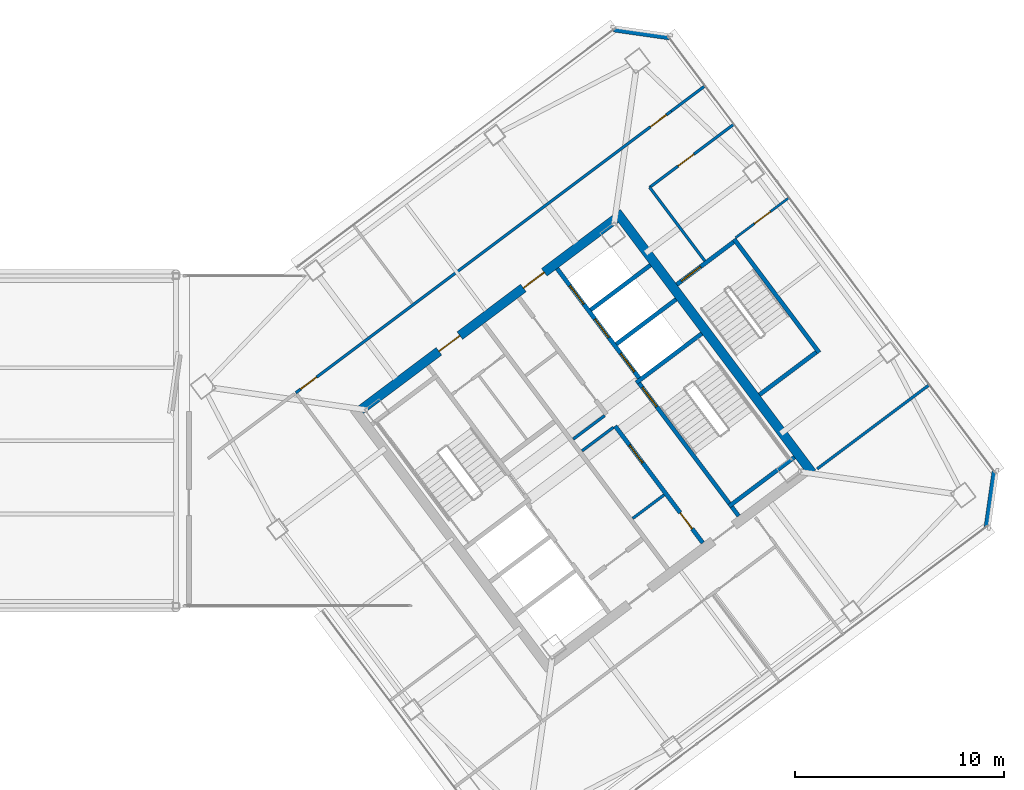
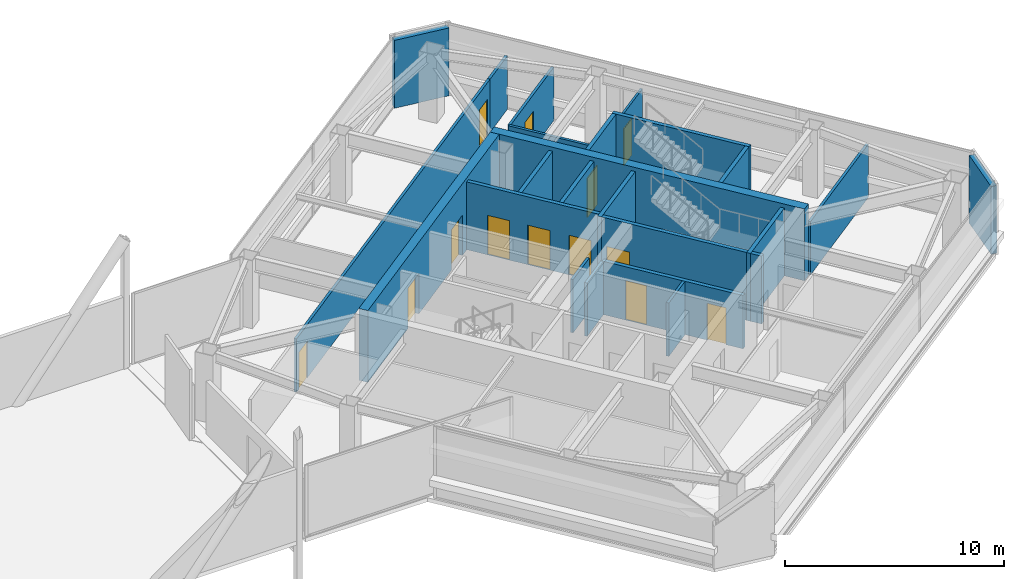
# One storey, part 45 of 53: 23 walls, 13 doors, 13 openings.
"""IFC4 building model written with IfcOpenShell, lengths in metres."""

from ifc_helpers import new_model, si_unit, direction, frame, frame_2d, origin, place, context, subcontext, project, spatial, rectangle, extrude, material, layer, layer_set, type_object, element, fill, save


model = new_model("IFC4")

# Units and contexts
model_context = context("Model", 3, precision=1e-05, world=origin(), true_north=direction((0.0, 1.0)))
body_context = subcontext(model_context, "Body", "Model", "MODEL_VIEW")
ifc_project = project(units=[si_unit("LENGTHUNIT", "METRE"), si_unit("AREAUNIT", "SQUARE_METRE"), si_unit("VOLUMEUNIT", "CUBIC_METRE"), si_unit("PLANEANGLEUNIT", "RADIAN"), si_unit("MASSUNIT", "GRAM", prefix="KILO")], contexts=[model_context])

# Site, building, storey
site_placement = place(None, origin())
site = spatial("IfcSite", under=ifc_project, at=site_placement, CompositionType="ELEMENT")
building_placement = place(site_placement, origin())
building = spatial("IfcBuilding", under=site, at=building_placement, Name="Tashvorn Skyway Center", CompositionType="ELEMENT")
storey_placement = place(building_placement, frame((0.0, 0.0, 255.39990234375)))
storey = spatial("IfcBuildingStorey", under=building, at=storey_placement, Name="L69", CompositionType="ELEMENT", Elevation=255.39990234375)

# Wall
ifc_material_1 = material(Name="Concrete C50/60", Category="concrete")
ifc_layer_1 = layer(ifc_material_1, 0.449951171875)
ifc_layer_set_1 = layer_set([ifc_layer_1], Name="Concrete C50/60")
wall_type_1 = type_object("IfcWallType", Name="WALL-CORE-450", PredefinedType="SHEAR", material=ifc_layer_set_1)
wall_1_placement = place(storey_placement, frame((115.60400390625, 42.952880859375, 0.0), z_axis=(0.0, 0.0, 1.0), x_axis=(0.600005007985, -0.799996243986, 0.0)))
element("IfcWall", 1, at=wall_1_placement, inside=storey, type_object=wall_type_1, Name="Tower 2 L69 East Core Shear Wall", PredefinedType="SHEAR", context=body_context, shape_type="SweptSolid", body=[
    extrude(rectangle(XDim=15.60009765625, YDim=0.449951171875, at=frame_2d((7.800048828125, 0.0))), origin(), (0.0, 0.0, 1.0), 4.0),
])

# Wall, openings, doors
wall_2_placement = place(storey_placement, frame((103.35107421875, 33.48193359375, 0.0), z_axis=(0.0, 0.0, 1.0), x_axis=(0.8, 0.6, 0.0)))
wall_2 = element("IfcWall", 2, at=wall_2_placement, inside=storey, type_object=wall_type_1, Name="Tower 2 L69 North Core Shear Wall", PredefinedType="SHEAR", context=body_context, shape_type="SweptSolid", body=[
    extrude(rectangle(XDim=15.260009765625, YDim=0.449951171875, at=frame_2d((7.6298828125, 0.0))), origin(), (0.0, 0.0, 1.0), 4.0),
])
opening_1_placement = place(wall_2_placement, frame((4.679931640625, 0.0, 0.0)))
opening_1 = element("IfcOpeningElement", 3, at=opening_1_placement, cuts=wall_2, Name="Opening D-FFL-1250", PredefinedType="OPENING", context=body_context, shape_type="SweptSolid", body=[
    extrude(rectangle(XDim=1.25, YDim=2.25, at=frame_2d((0.625, 1.125))), frame((0.0, 0.23486328125, 0.0), z_axis=(0.0, -1.0, 0.0), x_axis=(1.0, 0.0, 0.0)), (0.0, 0.0, 1.0), 0.469970703125),
])
opening_2_placement = place(wall_2_placement, frame((9.72998046875, 0.0, 0.0)))
opening_2 = element("IfcOpeningElement", 4, at=opening_2_placement, cuts=wall_2, Name="Opening D-FFL-1250", PredefinedType="OPENING", context=body_context, shape_type="SweptSolid", body=[
    extrude(rectangle(XDim=1.25, YDim=2.25, at=frame_2d((0.625, 1.125))), frame((0.0, 0.23486328125, 0.0), z_axis=(0.0, -1.0, 0.0), x_axis=(1.0, 0.0, 0.0)), (0.0, 0.0, 1.0), 0.469970703125),
])
ifc_material_2 = material(Name="Hollow galvanized steel fire door assembly", Category="steel")
door_type_1 = type_object("IfcDoorType", Name="DOOR-FFL-1250", OperationType="NOTDEFINED", PredefinedType="DOOR", material=ifc_material_2)
door_1_placement = place(opening_1_placement, origin())
door_1 = element("IfcDoor", 5, at=door_1_placement, inside=storey, type_object=door_type_1, Name="Tower 2 L69 Core North Service Lobby Door", OperationType="SINGLE_SWING_LEFT", OverallHeight=2.25, OverallWidth=1.25, PredefinedType="DOOR", context=body_context, shape_type="SweptSolid", body=[
    extrude(rectangle(XDim=1.25, YDim=2.25, at=frame_2d((0.625, 1.125))), frame((0.0, 0.02490234375, 0.0), z_axis=(0.0, -1.0, 0.0), x_axis=(1.0, 0.0, 0.0)), (0.0, 0.0, 1.0), 0.050048828125),
])
fill(opening_1, door_1)
door_2_placement = place(opening_2_placement, origin())
door_2 = element("IfcDoor", 6, at=door_2_placement, inside=storey, type_object=door_type_1, Name="Tower 2 L69 Core North Lift Lobby Door", OperationType="SINGLE_SWING_RIGHT", OverallHeight=2.25, OverallWidth=1.25, PredefinedType="DOOR", context=body_context, shape_type="SweptSolid", body=[
    extrude(rectangle(XDim=1.25, YDim=2.25, at=frame_2d((0.625, 1.125))), frame((0.0, 0.02490234375, 0.0), z_axis=(0.0, -1.0, 0.0), x_axis=(1.0, 0.0, 0.0)), (0.0, 0.0, 1.0), 0.050048828125),
])
fill(opening_2, door_2)

# Walls
ifc_material_3 = material(Name="Precast concrete C40/50", Category="concrete")
ifc_layer_2 = layer(ifc_material_3, 0.280029296875)
ifc_layer_set_2 = layer_set([ifc_layer_2], Name="Precast concrete C40/50")
wall_type_2 = type_object("IfcWallType", Name="WALL-EXT-280", PredefinedType="SOLIDWALL", material=ifc_layer_set_2)
for number, where, z_axis, x_axis, name in (
    (7, (115.4599609375, 51.719970703125, 0.0), (0.0, 0.0, 1.0), (0.989956760759, -0.141370477216, 0.0), "Tower 2 L69 NE Precast Chamfer Wall"),
    (8, (133.719970703125, 30.5400390625, 0.0), (0.0, 0.0, 1.0), (-0.141370477216, -0.989956760759, 0.0), "Tower 2 L69 SE Precast Chamfer Wall"),
):
    element("IfcWall", number, at=place(storey_placement, frame(where, z_axis=z_axis, x_axis=x_axis)), inside=storey, type_object=wall_type_2, Name=name, PredefinedType="SOLIDWALL", context=body_context, shape_type="SweptSolid", body=[
        extrude(rectangle(XDim=2.687255859375, YDim=0.280029296875, at=frame_2d((1.34375, 0.0))), origin(), (0.0, 0.0, 1.0), 3.780029296875),
    ])

# Wall, opening, door
ifc_material_4 = material(Name="Gypsum board on cold-formed steel stud framing", Category="steel")
ifc_layer_3 = layer(ifc_material_4, 0.110107421875)
ifc_layer_set_3 = layer_set([ifc_layer_3], Name="Gypsum board on cold-formed steel stud framing")
wall_type_3 = type_object("IfcWallType", Name="WALL-PART-110", PredefinedType="PARTITIONING", material=ifc_layer_set_3)
wall_3_placement = place(storey_placement, frame((123.864013671875, 43.64794921875, 0.0), z_axis=(0.0, 0.0, 1.0), x_axis=(-0.800018310174, -0.599975585658, 0.0)))
wall_3 = element("IfcWall", 9, at=wall_3_placement, inside=storey, type_object=wall_type_3, Name="Tower 2 L69 East Suite Partition 1", PredefinedType="PARTITIONING", context=body_context, shape_type="SweptSolid", body=[
    extrude(rectangle(XDim=3.199951171875, YDim=0.110107421875, at=frame_2d((1.60009765625, 0.0))), origin(), (0.0, 0.0, 1.0), 2.97119140625),
])
opening_3_placement = place(wall_3_placement, frame((1.125, 0.0, 0.0)))
opening_3 = element("IfcOpeningElement", 10, at=opening_3_placement, cuts=wall_3, Name="Opening D-INT-950", PredefinedType="OPENING", context=body_context, shape_type="SweptSolid", body=[
    extrude(rectangle(XDim=0.949951171875, YDim=2.050048828125, at=frame_2d((0.47509765625, 1.02490234375))), frame((0.0, 0.06494140625, 0.0), z_axis=(0.0, -1.0, 0.0), x_axis=(1.0, 0.0, 0.0)), (0.0, 0.0, 1.0), 0.130126953125),
])
ifc_material_5 = material(Name="Solid-core architectural oak veneer door")
door_type_2 = type_object("IfcDoorType", Name="DOOR-INT-950", OperationType="NOTDEFINED", PredefinedType="DOOR", material=ifc_material_5)
door_3_placement = place(opening_3_placement, origin())
door_3 = element("IfcDoor", 11, at=door_3_placement, inside=storey, type_object=door_type_2, Name="Tower 2 L69 Staff Fitness Club Door", OperationType="SINGLE_SWING_LEFT", OverallHeight=2.050048828125, OverallWidth=0.949951171875, PredefinedType="DOOR", context=body_context, shape_type="SweptSolid", body=[
    extrude(rectangle(XDim=0.949951171875, YDim=2.050048828125, at=frame_2d((0.47509765625, 1.02490234375))), frame((0.0, 0.02490234375, 0.0), z_axis=(0.0, -1.0, 0.0), x_axis=(1.0, 0.0, 0.0)), (0.0, 0.0, 1.0), 0.050048828125),
])
fill(opening_3, door_3)

# Wall
ifc_layer_4 = layer(ifc_material_4, 0.135009765625)
ifc_layer_set_4 = layer_set([ifc_layer_4], Name="Gypsum board on cold-formed steel stud framing")
wall_type_4 = type_object("IfcWallType", Name="WALL-PART-135", PredefinedType="PARTITIONING", material=ifc_layer_set_4)
wall_4_placement = place(storey_placement, frame((119.823974609375, 40.617919921875, 0.0), z_axis=(0.0, 0.0, 1.0), x_axis=(-0.599982243973, 0.800013316712, 0.0)))
element("IfcWall", 12, at=wall_4_placement, inside=storey, type_object=wall_type_4, Name="Tower 2 L69 Stair 3 Access Corridor Wall", PredefinedType="PARTITIONING", context=body_context, shape_type="SweptSolid", body=[
    extrude(rectangle(XDim=4.39990234375, YDim=0.135009765625, at=frame_2d((2.199951171875, 0.0))), origin(), (0.0, 0.0, 1.0), 2.97119140625),
])

# Wall, openings, doors
wall_5_placement = place(storey_placement, frame((100.236083984375, 34.302001953125, 0.0), z_axis=(0.0, 0.0, 1.0), x_axis=(0.799997393501, 0.600003475316, 0.0)))
wall_5 = element("IfcWall", 13, at=wall_5_placement, inside=storey, type_object=wall_type_4, Name="Tower 2 L69 North Suite Wall", PredefinedType="PARTITIONING", context=body_context, shape_type="SweptSolid", body=[
    extrude(rectangle(XDim=22.47998046875, YDim=0.135009765625, at=frame_2d((11.239990234375, 0.0))), origin(), (0.0, 0.0, 1.0), 2.97119140625),
])
opening_4_placement = place(wall_5_placement, frame((0.300048828125, 0.0, 0.0)))
opening_4 = element("IfcOpeningElement", 14, at=opening_4_placement, cuts=wall_5, Name="Opening D-INT-950", PredefinedType="OPENING", context=body_context, shape_type="SweptSolid", body=[
    extrude(rectangle(XDim=0.949951171875, YDim=2.050048828125, at=frame_2d((0.47509765625, 1.02490234375))), frame((0.0, 0.077392578125, 0.0), z_axis=(0.0, -1.0, 0.0), x_axis=(1.0, 0.0, 0.0)), (0.0, 0.0, 1.0), 0.155029296875),
])
opening_5_placement = place(wall_5_placement, frame((21.22998046875, 0.0, 0.0)))
opening_5 = element("IfcOpeningElement", 15, at=opening_5_placement, cuts=wall_5, Name="Opening D-INT-950", PredefinedType="OPENING", context=body_context, shape_type="SweptSolid", body=[
    extrude(rectangle(XDim=0.949951171875, YDim=2.050048828125, at=frame_2d((0.47509765625, 1.02490234375))), frame((0.0, 0.077392578125, 0.0), z_axis=(0.0, -1.0, 0.0), x_axis=(1.0, 0.0, 0.0)), (0.0, 0.0, 1.0), 0.155029296875),
])
door_4_placement = place(opening_4_placement, origin())
door_4 = element("IfcDoor", 16, at=door_4_placement, inside=storey, type_object=door_type_2, Name="Tower 2 L69 Open Plan Office Door", OperationType="SINGLE_SWING_LEFT", OverallHeight=2.050048828125, OverallWidth=0.949951171875, PredefinedType="DOOR", context=body_context, shape_type="SweptSolid", body=[
    extrude(rectangle(XDim=0.949951171875, YDim=2.050048828125, at=frame_2d((0.47509765625, 1.02490234375))), frame((0.0, 0.02490234375, 0.0), z_axis=(0.0, -1.0, 0.0), x_axis=(1.0, 0.0, 0.0)), (0.0, 0.0, 1.0), 0.050048828125),
])
fill(opening_4, door_4)
door_5_placement = place(opening_5_placement, origin())
door_5 = element("IfcDoor", 17, at=door_5_placement, inside=storey, type_object=door_type_2, Name="Tower 2 L69 Open Plan Office Door", OperationType="SINGLE_SWING_RIGHT", OverallHeight=2.050048828125, OverallWidth=0.949951171875, PredefinedType="DOOR", context=body_context, shape_type="SweptSolid", body=[
    extrude(rectangle(XDim=0.949951171875, YDim=2.050048828125, at=frame_2d((0.47509765625, 1.02490234375))), frame((0.0, 0.02490234375, 0.0), z_axis=(0.0, -1.0, 0.0), x_axis=(1.0, 0.0, 0.0)), (0.0, 0.0, 1.0), 0.050048828125),
])
fill(opening_5, door_5)

# Wall
wall_6_placement = place(storey_placement, frame((118.219970703125, 47.7900390625, 0.0), z_axis=(0.0, 0.0, 1.0), x_axis=(0.8, 0.6, 0.0)))
element("IfcWall", 18, at=wall_6_placement, inside=storey, type_object=wall_type_4, Name="Tower 2 L69 North-East Suite South Wall", PredefinedType="PARTITIONING", context=body_context, shape_type="SweptSolid", body=[
    extrude(rectangle(XDim=2.030029296875, YDim=0.135009765625, at=frame_2d((1.01513671875, 0.0))), origin(), (0.0, 0.0, 1.0), 2.97119140625),
])

# Wall, opening, door
wall_7_placement = place(storey_placement, frame((121.22412109375, 47.16796875, 0.0), z_axis=(0.0, 0.0, 1.0), x_axis=(-0.8, -0.6, 0.0)))
wall_7 = element("IfcWall", 19, at=wall_7_placement, inside=storey, type_object=wall_type_4, Name="Tower 2 L69 East Suite North Wall", PredefinedType="PARTITIONING", context=body_context, shape_type="SweptSolid", body=[
    extrude(rectangle(XDim=5.050048828125, YDim=0.135009765625, at=frame_2d((2.52490234375, 0.0))), origin(), (0.0, 0.0, 1.0), 2.97119140625),
])
opening_6_placement = place(wall_7_placement, frame((2.39990234375, 0.0, 0.0)))
opening_6 = element("IfcOpeningElement", 20, at=opening_6_placement, cuts=wall_7, Name="Opening D-INT-950", PredefinedType="OPENING", context=body_context, shape_type="SweptSolid", body=[
    extrude(rectangle(XDim=0.949951171875, YDim=2.050048828125, at=frame_2d((0.47509765625, 1.02490234375))), frame((0.0, 0.077392578125, 0.0), z_axis=(0.0, -1.0, 0.0), x_axis=(1.0, 0.0, 0.0)), (0.0, 0.0, 1.0), 0.155029296875),
])
door_6_placement = place(opening_6_placement, origin())
door_6 = element("IfcDoor", 21, at=door_6_placement, inside=storey, type_object=door_type_2, Name="Tower 2 L69 Executive Study Lounge Door", OperationType="SINGLE_SWING_RIGHT", OverallHeight=2.050048828125, OverallWidth=0.949951171875, PredefinedType="DOOR", context=body_context, shape_type="SweptSolid", body=[
    extrude(rectangle(XDim=0.949951171875, YDim=2.050048828125, at=frame_2d((0.47509765625, 1.02490234375))), frame((0.0, 0.02490234375, 0.0), z_axis=(0.0, -1.0, 0.0), x_axis=(1.0, 0.0, 0.0)), (0.0, 0.0, 1.0), 0.050048828125),
])
fill(opening_6, door_6)

# Walls
wall_8_placement = place(storey_placement, frame((125.2080078125, 30.656005859375, 0.0), z_axis=(0.0, 0.0, 1.0), x_axis=(0.8, 0.6, 0.0)))
element("IfcWall", 22, at=wall_8_placement, inside=storey, type_object=wall_type_4, Name="Tower 2 L69 East Suite South Wall", PredefinedType="PARTITIONING", context=body_context, shape_type="SweptSolid", body=[
    extrude(rectangle(XDim=6.719970703125, YDim=0.135009765625, at=frame_2d((3.35986328125, 0.0))), origin(), (0.0, 0.0, 1.0), 2.97119140625),
])
ifc_layer_5 = layer(ifc_material_4, 0.135009765625)
ifc_layer_set_5 = layer_set([ifc_layer_5], Name="Gypsum board on cold-formed steel stud framing")
wall_type_5 = type_object("IfcWallType", Name="WALL-RATED-135", PredefinedType="PARTITIONING", material=ifc_layer_set_5)
for number, where, z_axis, x_axis, name in (
    (23, (113.946044921875, 31.52197265625, 0.0), (0.0, 0.0, 1.0), (0.8, 0.6, 0.0), "Tower 2 L69 Core Room Partition"),
    (24, (116.3759765625, 28.281982421875, 0.0), (0.0, 0.0, 1.0), (0.8, 0.6, 0.0), "Tower 2 L69 Freed Core Partition"),
):
    element("IfcWall", number, at=place(storey_placement, frame(where, z_axis=z_axis, x_axis=x_axis)), inside=storey, type_object=wall_type_5, Name=name, PredefinedType="PARTITIONING", context=body_context, shape_type="SweptSolid", body=[
        extrude(rectangle(XDim=1.8798828125, YDim=0.135009765625, at=frame_2d((0.93994140625, 0.0))), origin(), (0.0, 0.0, 1.0), 2.97119140625),
    ])
wall_9_placement = place(storey_placement, frame((113.52587890625, 32.08203125, 0.0), z_axis=(0.0, 0.0, 1.0), x_axis=(0.800046745961, 0.599937666993, 0.0)))
element("IfcWall", 25, at=wall_9_placement, inside=storey, type_object=wall_type_5, Name="Tower 2 L69 Core Room Partition", PredefinedType="PARTITIONING", context=body_context, shape_type="SweptSolid", body=[
    extrude(rectangle(XDim=1.880126953125, YDim=0.135009765625, at=frame_2d((0.93994140625, 0.0))), origin(), (0.0, 0.0, 1.0), 2.97119140625),
])
ifc_material_6 = material(Name="Concrete C40/50", Category="concrete")
ifc_layer_6 = layer(ifc_material_6, 0.199951171875)
ifc_layer_set_6 = layer_set([ifc_layer_6], Name="Concrete C40/50")
wall_type_6 = type_object("IfcWallType", Name="WALL-SHAFT-200", PredefinedType="SOLIDWALL", material=ifc_layer_set_6)
for number, where, z_axis, x_axis, name in (
    (26, (115.590087890625, 36.6298828125, 0.0), (0.0, 0.0, 1.0), (0.799975449747, 0.600032732276, 0.0), "Tower 2 L69 High-Rise Shaft Divider"),
    (27, (114.360107421875, 38.27001953125, 0.0), (0.0, 0.0, 1.0), (0.800008183455, 0.599989088572, 0.0), "Tower 2 L69 High-Rise Shaft Divider"),
):
    element("IfcWall", number, at=place(storey_placement, frame(where, z_axis=z_axis, x_axis=x_axis)), inside=storey, type_object=wall_type_6, Name=name, PredefinedType="SOLIDWALL", context=body_context, shape_type="SweptSolid", body=[
        extrude(rectangle(XDim=3.580078125, YDim=0.199951171875, at=frame_2d((1.7900390625, 0.0))), origin(), (0.0, 0.0, 1.0), 3.780029296875),
    ])

# Wall, openings, doors
wall_10_placement = place(storey_placement, frame((119.72998046875, 27.110107421875, 0.0), z_axis=(0.0, 0.0, 1.0), x_axis=(-0.600005580459, 0.799995814625, 0.0)))
wall_10 = element("IfcWall", 28, at=wall_10_placement, inside=storey, type_object=wall_type_6, Name="Tower 2 L69 Low-Rise Core Wall", PredefinedType="SOLIDWALL", context=body_context, shape_type="SweptSolid", body=[
    extrude(rectangle(XDim=6.999755859375, YDim=0.199951171875, at=frame_2d((3.5, 0.0))), origin(), (0.0, 0.0, 1.0), 2.97119140625),
])
opening_7_placement = place(wall_10_placement, frame((0.85009765625, 0.0, 0.0)))
opening_7 = element("IfcOpeningElement", 29, at=opening_7_placement, cuts=wall_10, Name="Opening D-RT-950", PredefinedType="OPENING", context=body_context, shape_type="SweptSolid", body=[
    extrude(rectangle(XDim=0.949951171875, YDim=2.050048828125, at=frame_2d((0.47509765625, 1.02490234375))), frame((0.0, 0.10986328125, 0.0), z_axis=(0.0, -1.0, 0.0), x_axis=(1.0, 0.0, 0.0)), (0.0, 0.0, 1.0), 0.219970703125),
])
opening_8_placement = place(wall_10_placement, frame((4.800048828125, 0.0, 0.0)))
opening_8 = element("IfcOpeningElement", 30, at=opening_8_placement, cuts=wall_10, Name="Opening D-RT-1050", PredefinedType="OPENING", context=body_context, shape_type="SweptSolid", body=[
    extrude(rectangle(XDim=1.050048828125, YDim=2.199951171875, at=frame_2d((0.52490234375, 1.10009765625))), frame((0.0, 0.10986328125, 0.0), z_axis=(0.0, -1.0, 0.0), x_axis=(1.0, 0.0, 0.0)), (0.0, 0.0, 1.0), 0.219970703125),
])
door_type_3 = type_object("IfcDoorType", Name="DOOR-RATED-1050", OperationType="NOTDEFINED", PredefinedType="DOOR", material=ifc_material_2)
door_7_placement = place(opening_8_placement, origin())
door_7 = element("IfcDoor", 31, at=door_7_placement, inside=storey, type_object=door_type_3, Name="Tower 2 L69 Freed Core Room Door", OperationType="SINGLE_SWING_RIGHT", OverallHeight=2.199951171875, OverallWidth=1.050048828125, PredefinedType="DOOR", context=body_context, shape_type="SweptSolid", body=[
    extrude(rectangle(XDim=1.050048828125, YDim=2.199951171875, at=frame_2d((0.52490234375, 1.10009765625))), frame((0.0, 0.02490234375, 0.0), z_axis=(0.0, -1.0, 0.0), x_axis=(1.0, 0.0, 0.0)), (0.0, 0.0, 1.0), 0.050048828125),
])
fill(opening_8, door_7)
door_type_4 = type_object("IfcDoorType", Name="DOOR-RATED-950", OperationType="NOTDEFINED", PredefinedType="DOOR", material=ifc_material_2)
door_8_placement = place(opening_7_placement, origin())
door_8 = element("IfcDoor", 32, at=door_8_placement, inside=storey, type_object=door_type_4, Name="Tower 2 L69 Core Print Room Door", OperationType="SINGLE_SWING_LEFT", OverallHeight=2.050048828125, OverallWidth=0.949951171875, PredefinedType="DOOR", context=body_context, shape_type="SweptSolid", body=[
    extrude(rectangle(XDim=0.949951171875, YDim=2.050048828125, at=frame_2d((0.47509765625, 1.02490234375))), frame((0.0, 0.02490234375, 0.0), z_axis=(0.0, -1.0, 0.0), x_axis=(1.0, 0.0, 0.0)), (0.0, 0.0, 1.0), 0.050048828125),
])
fill(opening_7, door_8)

# Wall, opening, door
ifc_layer_7 = layer(ifc_material_6, 0.199951171875)
ifc_layer_set_7 = layer_set([ifc_layer_7], Name="Concrete C40/50")
wall_type_7 = type_object("IfcWallType", Name="WALL-STSHF-200", PredefinedType="SHEAR", material=ifc_layer_set_7)
wall_11_placement = place(storey_placement, frame((116.56005859375, 34.919921875, 0.0), z_axis=(0.0, 0.0, 1.0), x_axis=(0.59999041401, -0.800007189403, 0.0)))
wall_11 = element("IfcWall", 33, at=wall_11_placement, inside=storey, type_object=wall_type_7, Name="Tower 2 L69 Stair 2 Enclosure Wall", PredefinedType="SHEAR", context=body_context, shape_type="SweptSolid", body=[
    extrude(rectangle(XDim=8.14990234375, YDim=0.199951171875, at=frame_2d((4.074951171875, 0.0))), origin(), (0.0, 0.0, 1.0), 3.780029296875),
])
opening_9_placement = place(wall_11_placement, frame((0.449951171875, 0.0, 0.0)))
opening_9 = element("IfcOpeningElement", 34, at=opening_9_placement, cuts=wall_11, Name="Opening D-ST-1150", PredefinedType="OPENING", context=body_context, shape_type="SweptSolid", body=[
    extrude(rectangle(XDim=1.14990234375, YDim=2.199951171875, at=frame_2d((0.574951171875, 1.10009765625))), frame((0.0, 0.10986328125, 0.0), z_axis=(0.0, -1.0, 0.0), x_axis=(1.0, 0.0, 0.0)), (0.0, 0.0, 1.0), 0.219970703125),
])
door_type_5 = type_object("IfcDoorType", Name="DOOR-STAIR-1150", OperationType="NOTDEFINED", PredefinedType="DOOR", material=ifc_material_2)
door_9_placement = place(opening_9_placement, origin())
door_9 = element("IfcDoor", 35, at=door_9_placement, inside=storey, type_object=door_type_5, Name="Tower 2 L69 Exit Stair 2 Door", OperationType="SINGLE_SWING_RIGHT", OverallHeight=2.199951171875, OverallWidth=1.14990234375, PredefinedType="DOOR", context=body_context, shape_type="SweptSolid", body=[
    extrude(rectangle(XDim=1.14990234375, YDim=2.199951171875, at=frame_2d((0.574951171875, 1.10009765625))), frame((0.0, 0.02490234375, 0.0), z_axis=(0.0, -1.0, 0.0), x_axis=(1.0, 0.0, 0.0)), (0.0, 0.0, 1.0), 0.050048828125),
])
fill(opening_9, door_9)

# Walls
for number, where, z_axis, x_axis, name in (
    (36, (116.5400390625, 34.780029296875, 0.0), (0.0, 0.0, 1.0), (0.800014909178, 0.599980120581, 0.0), "Tower 2 L69 Stair 2 North Wall"),
    (37, (120.97998046875, 28.860107421875, 0.0), (0.0, 0.0, 1.0), (0.800014909178, 0.599980120581, 0.0), "Tower 2 L69 Stair 2 South Wall"),
):
    element("IfcWall", number, at=place(storey_placement, frame(where, z_axis=z_axis, x_axis=x_axis)), inside=storey, type_object=wall_type_7, Name=name, PredefinedType="SHEAR", context=body_context, shape_type="SweptSolid", body=[
        extrude(rectangle(XDim=3.929931640625, YDim=0.199951171875, at=frame_2d((1.96484375, 0.0))), origin(), (0.0, 0.0, 1.0), 3.780029296875),
    ])

# Wall, openings, doors
wall_12_placement = place(storey_placement, frame((112.75, 40.25, 0.0), z_axis=(0.0, 0.0, 1.0), x_axis=(0.599994036198, -0.800004472816, 0.0)))
wall_12 = element("IfcWall", 38, at=wall_12_placement, inside=storey, type_object=wall_type_7, Name="Tower 2 L69 High-Rise Lift Shaft Front Wall", PredefinedType="SHEAR", context=body_context, shape_type="SweptSolid", body=[
    extrude(rectangle(XDim=6.550048828125, YDim=0.199951171875, at=frame_2d((3.27490234375, 0.0))), origin(), (0.0, 0.0, 1.0), 3.780029296875),
])
opening_10_placement = place(wall_12_placement, frame((5.074951171875, 0.0, 0.0)))
opening_10 = element("IfcOpeningElement", 39, at=opening_10_placement, cuts=wall_12, Name="Opening LD-HR-T2-1-L69", PredefinedType="OPENING", context=body_context, shape_type="SweptSolid", body=[
    extrude(rectangle(XDim=1.10009765625, YDim=2.199951171875, at=frame_2d((0.550048828125, 1.10009765625))), frame((0.0, 0.10986328125, 0.0), z_axis=(0.0, -1.0, 0.0), x_axis=(1.0, 0.0, 0.0)), (0.0, 0.0, 1.0), 0.219970703125),
])
opening_11_placement = place(wall_12_placement, frame((3.02490234375, 0.0, 0.0)))
opening_11 = element("IfcOpeningElement", 40, at=opening_11_placement, cuts=wall_12, Name="Opening LD-HR-T2-2-L69", PredefinedType="OPENING", context=body_context, shape_type="SweptSolid", body=[
    extrude(rectangle(XDim=1.10009765625, YDim=2.199951171875, at=frame_2d((0.550048828125, 1.10009765625))), frame((0.0, 0.10986328125, 0.0), z_axis=(0.0, -1.0, 0.0), x_axis=(1.0, 0.0, 0.0)), (0.0, 0.0, 1.0), 0.219970703125),
])
opening_12_placement = place(wall_12_placement, frame((1.02490234375, 0.0, 0.0)))
opening_12 = element("IfcOpeningElement", 41, at=opening_12_placement, cuts=wall_12, Name="Opening LD-HR-T2-3-L69", PredefinedType="OPENING", context=body_context, shape_type="SweptSolid", body=[
    extrude(rectangle(XDim=1.10009765625, YDim=2.199951171875, at=frame_2d((0.550048828125, 1.10009765625))), frame((0.0, 0.10986328125, 0.0), z_axis=(0.0, -1.0, 0.0), x_axis=(1.0, 0.0, 0.0)), (0.0, 0.0, 1.0), 0.219970703125),
])
ifc_material_7 = material(Name="Stainless steel landing door", Category="steel")
door_type_6 = type_object("IfcDoorType", Name="DOOR-LIFT-1100", OperationType="SLIDING_TO_LEFT", PredefinedType="DOOR", material=ifc_material_7)
door_10_placement = place(opening_10_placement, origin())
door_10 = element("IfcDoor", 42, at=door_10_placement, inside=storey, type_object=door_type_6, Name="Lift HR-T2-1 L69 Landing Door", OperationType="SLIDING_TO_LEFT", OverallHeight=2.199951171875, OverallWidth=1.10009765625, PredefinedType="DOOR", context=body_context, shape_type="SweptSolid", body=[
    extrude(rectangle(XDim=1.10009765625, YDim=2.199951171875, at=frame_2d((0.550048828125, 1.10009765625))), frame((0.0, 0.02490234375, 0.0), z_axis=(0.0, -1.0, 0.0), x_axis=(1.0, 0.0, 0.0)), (0.0, 0.0, 1.0), 0.050048828125),
])
fill(opening_10, door_10)
door_11_placement = place(opening_11_placement, origin())
door_11 = element("IfcDoor", 43, at=door_11_placement, inside=storey, type_object=door_type_6, Name="Lift HR-T2-2 L69 Landing Door", OperationType="SLIDING_TO_LEFT", OverallHeight=2.199951171875, OverallWidth=1.10009765625, PredefinedType="DOOR", context=body_context, shape_type="SweptSolid", body=[
    extrude(rectangle(XDim=1.10009765625, YDim=2.199951171875, at=frame_2d((0.550048828125, 1.10009765625))), frame((0.0, 0.02490234375, 0.0), z_axis=(0.0, -1.0, 0.0), x_axis=(1.0, 0.0, 0.0)), (0.0, 0.0, 1.0), 0.050048828125),
])
fill(opening_11, door_11)
door_12_placement = place(opening_12_placement, origin())
door_12 = element("IfcDoor", 44, at=door_12_placement, inside=storey, type_object=door_type_6, Name="Lift HR-T2-3 L69 Landing Door", OperationType="SLIDING_TO_LEFT", OverallHeight=2.199951171875, OverallWidth=1.10009765625, PredefinedType="DOOR", context=body_context, shape_type="SweptSolid", body=[
    extrude(rectangle(XDim=1.10009765625, YDim=2.199951171875, at=frame_2d((0.550048828125, 1.10009765625))), frame((0.0, 0.02490234375, 0.0), z_axis=(0.0, -1.0, 0.0), x_axis=(1.0, 0.0, 0.0)), (0.0, 0.0, 1.0), 0.050048828125),
])
fill(opening_12, door_12)

# Wall
wall_13_placement = place(storey_placement, frame((125.303955078125, 36.22802734375, 0.0), z_axis=(0.0, 0.0, 1.0), x_axis=(-0.59998851072, 0.800008616831, 0.0)))
element("IfcWall", 45, at=wall_13_placement, inside=storey, type_object=wall_type_7, Name="Tower 2 L69 Stair 3 Outer Wall", PredefinedType="SHEAR", context=body_context, shape_type="SweptSolid", body=[
    extrude(rectangle(XDim=6.7998046875, YDim=0.199951171875, at=frame_2d((3.39990234375, 0.0))), origin(), (0.0, 0.0, 1.0), 3.780029296875),
])

# Wall, opening, door
wall_14_placement = place(storey_placement, frame((121.2041015625, 41.528076171875, 0.0), z_axis=(0.0, 0.0, 1.0), x_axis=(-0.800017232136, -0.599977023131, 0.0)))
wall_14 = element("IfcWall", 46, at=wall_14_placement, inside=storey, type_object=wall_type_7, Name="Tower 2 L69 Stair 3 Enclosure Wall", PredefinedType="SHEAR", context=body_context, shape_type="SweptSolid", body=[
    extrude(rectangle(XDim=3.400146484375, YDim=0.199951171875, at=frame_2d((1.7001953125, 0.0))), origin(), (0.0, 0.0, 1.0), 3.780029296875),
])
opening_13_placement = place(wall_14_placement, frame((1.97509765625, 0.0, 0.0)))
opening_13 = element("IfcOpeningElement", 47, at=opening_13_placement, cuts=wall_14, Name="Opening D-ST-1150", PredefinedType="OPENING", context=body_context, shape_type="SweptSolid", body=[
    extrude(rectangle(XDim=1.14990234375, YDim=2.199951171875, at=frame_2d((0.574951171875, 1.10009765625))), frame((0.0, 0.10986328125, 0.0), z_axis=(0.0, -1.0, 0.0), x_axis=(1.0, 0.0, 0.0)), (0.0, 0.0, 1.0), 0.219970703125),
])
door_13_placement = place(opening_13_placement, origin())
door_13 = element("IfcDoor", 48, at=door_13_placement, inside=storey, type_object=door_type_5, Name="Tower 2 L69 Exit Stair 3 Door", OperationType="SINGLE_SWING_RIGHT", OverallHeight=2.199951171875, OverallWidth=1.14990234375, PredefinedType="DOOR", context=body_context, shape_type="SweptSolid", body=[
    extrude(rectangle(XDim=1.14990234375, YDim=2.199951171875, at=frame_2d((0.574951171875, 1.10009765625))), frame((0.0, 0.02490234375, 0.0), z_axis=(0.0, -1.0, 0.0), x_axis=(1.0, 0.0, 0.0)), (0.0, 0.0, 1.0), 0.050048828125),
])
fill(opening_13, door_13)

# Wall
wall_15_placement = place(storey_placement, frame((122.444091796875, 34.2080078125, 0.0), z_axis=(0.0, 0.0, 1.0), x_axis=(0.79999138319, 0.600011488909, 0.0)))
element("IfcWall", 49, at=wall_15_placement, inside=storey, type_object=wall_type_7, Name="Tower 2 L69 Stair 3 South Wall", PredefinedType="SHEAR", context=body_context, shape_type="SweptSolid", body=[
    extrude(rectangle(XDim=3.39990234375, YDim=0.199951171875, at=frame_2d((1.699951171875, 0.0))), origin(), (0.0, 0.0, 1.0), 3.780029296875),
])

save(model, "model.ifc")
